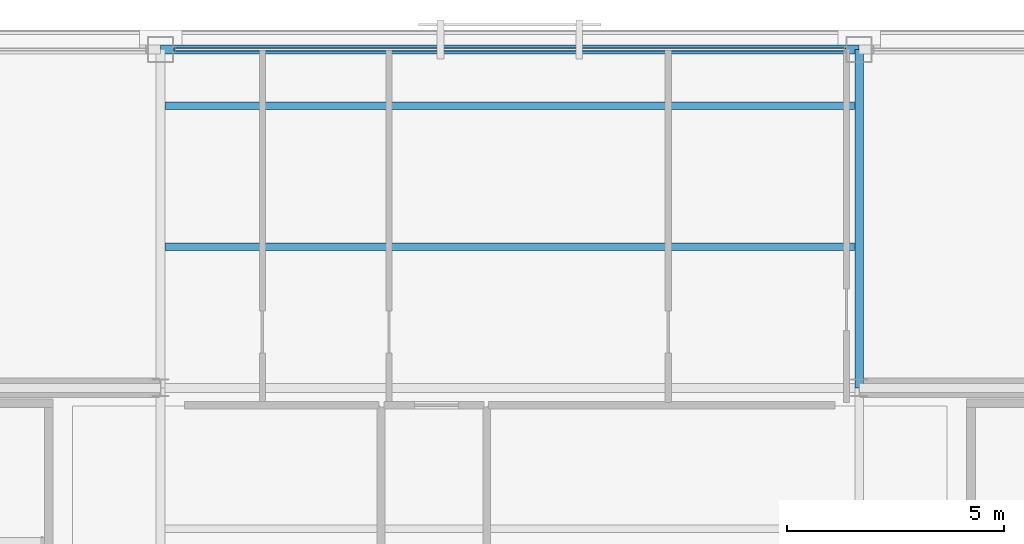
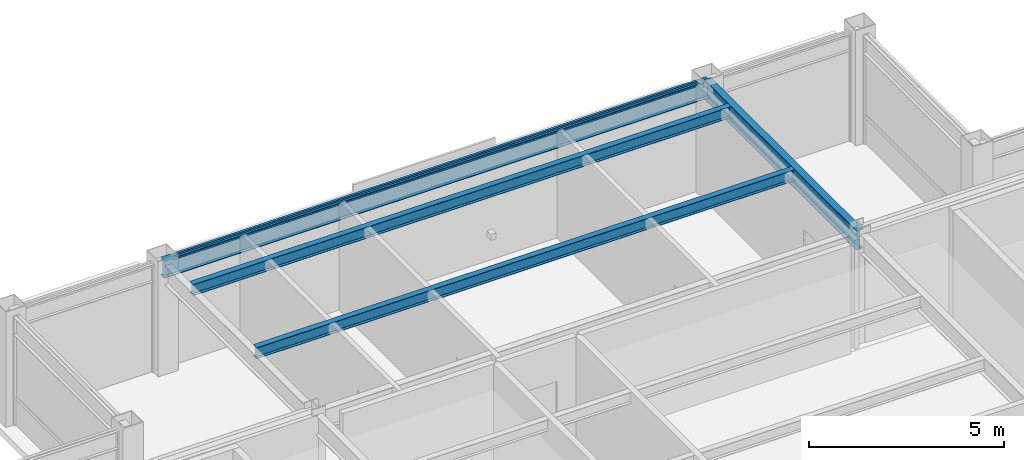
# One storey, part 20 of 28: 4 beams, 1 member, 1 element without a shape of its own.
"""IFC4 building model written with IfcOpenShell, lengths in metres."""

import ifcopenshell
import ifcopenshell.guid

model = None  # the IFC model being written
_history = None  # IfcOwnerHistory: only IFC2X3 demands one
_inside = {}  # id of a spatial element -> (the spatial element, [elements in it])
_under = {}  # id of a project, library or spatial element -> (it, [spatial elements below it])
_declared = {}  # id of a project -> (the project, [libraries it declares])
_typed = {}  # id of a type object -> (the type object, [elements of that type])
_made_of = {}  # id of a material, layer set ... -> (it, [elements and type objects made of it])


def new_model(schema):
    """Start an empty IFC model of exactly this schema.

    Asked for "IFC4X3", IfcOpenShell would pick the latest addendum, in which some entities
    have other attributes; the version numbers below select the first issue.
    IFC2X3 requires an IfcOwnerHistory on every rooted entity: one is made here for all.
    """
    global model, _history
    if schema == "IFC4X3":
        model = ifcopenshell.file(schema_version=(4, 3, 0, 0))
    else:
        model = ifcopenshell.file(schema=schema)
    _inside.clear()
    _under.clear()
    _declared.clear()
    _typed.clear()
    _made_of.clear()
    _history = None
    if model.schema == "IFC2X3":
        org = make("IfcOrganization", Name="unknown")
        user = make(
            "IfcPersonAndOrganization",
            ThePerson=make("IfcPerson", FamilyName="unknown"),
            TheOrganization=org,
        )
        app = make(
            "IfcApplication",
            ApplicationDeveloper=org,
            Version="unknown",
            ApplicationFullName="unknown",
            ApplicationIdentifier="unknown",
        )
        _history = make(
            "IfcOwnerHistory",
            OwningUser=user,
            OwningApplication=app,
            ChangeAction="ADDED",
            CreationDate=0,
        )
    return model


def make(cls, **values):
    """One entity of the class cls with the attributes given. An attribute that is None is left unset."""
    return model.create_entity(
        cls, **{name: value for name, value in values.items() if value is not None}
    )


def rooted(cls, **values):
    """An entity with a GlobalId (a new one), such as an element, a storey or a relation."""
    return make(cls, GlobalId=ifcopenshell.guid.new(), OwnerHistory=_history, **values)


def si_unit(unit_type, name, prefix=None):
    """IfcSIUnit, for example si_unit("LENGTHUNIT", "METRE", prefix="MILLI")."""
    return make("IfcSIUnit", UnitType=unit_type, Prefix=prefix, Name=name)


def assignment(units):
    """IfcUnitAssignment: the units of a project."""
    return None if units is None else make("IfcUnitAssignment", Units=units)


def point(xyz):
    """IfcCartesianPoint."""
    return None if xyz is None else make("IfcCartesianPoint", Coordinates=xyz)


def direction(xyz):
    """IfcDirection."""
    return None if xyz is None else make("IfcDirection", DirectionRatios=xyz)


def frame(location, z_axis=None, x_axis=None):
    """IfcAxis2Placement3D, a coordinate frame: its origin and axes. An axis left out is left unset."""
    return make(
        "IfcAxis2Placement3D",
        Location=point(location),
        Axis=direction(z_axis),
        RefDirection=direction(x_axis),
    )


def frame_2d(location, x_axis=None):
    """IfcAxis2Placement2D, a coordinate frame in the plane: its origin and x axis."""
    return make(
        "IfcAxis2Placement2D", Location=point(location), RefDirection=direction(x_axis)
    )


def origin():
    """The frame at (0, 0, 0) with its axes left unset."""
    return frame((0.0, 0.0, 0.0))


def origin_2d():
    """The frame at (0, 0) in the plane with its x axis left unset."""
    return frame_2d((0.0, 0.0))


def place(relative_to, where):
    """IfcLocalPlacement: puts the frame where relative to a parent placement (None: the world)."""
    return make(
        "IfcLocalPlacement", PlacementRelTo=relative_to, RelativePlacement=where
    )


def context(
    kind, dimensions, precision=None, world=None, true_north=None, identifier=None
):
    """IfcGeometricRepresentationContext, for example the 3D "Model" context."""
    return make(
        "IfcGeometricRepresentationContext",
        ContextIdentifier=identifier,
        ContextType=kind,
        CoordinateSpaceDimension=dimensions,
        Precision=precision,
        WorldCoordinateSystem=world,
        TrueNorth=true_north,
    )


def subcontext(parent, identifier, kind, view, scale=None):
    """IfcGeometricRepresentationSubContext, for example "Body" below "Model"."""
    return make(
        "IfcGeometricRepresentationSubContext",
        ContextIdentifier=identifier,
        ContextType=kind,
        ParentContext=parent,
        TargetScale=scale,
        TargetView=view,
    )


def project(units=None, contexts=None):
    """IfcProject with its units and contexts."""
    return rooted(
        "IfcProject",
        Name="project",
        RepresentationContexts=contexts,
        UnitsInContext=assignment(units),
    )


def spatial(cls, under=None, at=None, **own):
    """A site, building, storey or space (cls), placed at a placement, below another one or the project."""
    s = rooted(cls, ObjectPlacement=at, **own)
    if under is not None:
        _under.setdefault(under.id(), (under, []))[1].append(s)
    return s


def profile(cls, at=None, kind="AREA", **sizes):
    """A parametric profile (cls). Its sizes go by their IFC names, for example OverallWidth=200.0."""
    return make(cls, ProfileType=kind, Position=at, **sizes)


def hollow_rectangle(**sizes):
    """IfcRectangleHollowProfileDef."""
    return profile("IfcRectangleHollowProfileDef", **sizes)


def i_section(**sizes):
    """IfcIShapeProfileDef."""
    return profile("IfcIShapeProfileDef", **sizes)


def extrude(swept, where, along, depth):
    """IfcExtrudedAreaSolid: the profile swept, set in the frame where, extruded along a direction by depth."""
    return make(
        "IfcExtrudedAreaSolid",
        SweptArea=swept,
        Position=where,
        ExtrudedDirection=direction(along),
        Depth=depth,
    )


def shape(context_of_items, identifier, shape_type, items):
    """IfcShapeRepresentation: the items that make up one representation, for example the "Body"."""
    return make(
        "IfcShapeRepresentation",
        ContextOfItems=context_of_items,
        RepresentationIdentifier=identifier,
        RepresentationType=shape_type,
        Items=items,
    )


def material(Name=None, Category=None):
    """IfcMaterial."""
    return make("IfcMaterial", Name=Name, Category=Category)


def layer(
    of_material, thickness, ventilated=None, Name=None, Category=None, Priority=None
):
    """IfcMaterialLayer: one layer of a wall or slab, of a material (None: an air gap)."""
    return make(
        "IfcMaterialLayer",
        Material=of_material,
        LayerThickness=thickness,
        IsVentilated=ventilated,
        Name=Name,
        Category=Category,
        Priority=Priority,
    )


def layer_set(layers, Name=None):
    """IfcMaterialLayerSet."""
    return make("IfcMaterialLayerSet", MaterialLayers=layers, LayerSetName=Name)


def material_profile(
    of_material, cross_section, Name=None, Category=None, Priority=None
):
    """IfcMaterialProfile: a cross section and its material."""
    return make(
        "IfcMaterialProfile",
        Name=Name,
        Material=of_material,
        Profile=cross_section,
        Priority=Priority,
        Category=Category,
    )


def profile_set(profiles, Name=None, composite=None):
    """IfcMaterialProfileSet."""
    return make(
        "IfcMaterialProfileSet",
        Name=Name,
        MaterialProfiles=profiles,
        CompositeProfile=composite,
    )


def made_of(thing, what):
    """Note that an element or type object is made of a material, layer set ...; save() writes the relation."""
    if what is not None:
        _made_of.setdefault(what.id(), (what, []))[1].append(thing)
    return thing


def type_object(cls, material=None, **own):
    """A type object (cls), such as IfcWallType, which elements share."""
    return made_of(rooted(cls, **own), material)


def element(
    cls,
    number,
    at=None,
    inside=None,
    cuts=None,
    type_object=None,
    material=None,
    context=None,
    identifier="Body",
    shape_type=None,
    held_by="IfcProductDefinitionShape",
    body=None,
    shapes=None,
    **own,
):
    """One element of the class cls, such as IfcWall. Its Tag is "e" and its number.

    at: its placement. inside: the storey or other place that contains it. cuts: it is an
    opening in that element (IfcRelVoidsElement). A single representation is given by context,
    identifier, shape_type and body (its items); several are given by shapes. held_by: the class
    of the entity that holds the representations. save() writes the other relations.
    """
    e = rooted(cls, Tag="e%d" % number, ObjectPlacement=at, **own)
    if body is not None:
        shapes = [shape(context, identifier, shape_type, body)]
    if shapes is not None:
        e.Representation = make(held_by, Representations=shapes)
    if inside is not None:
        _inside.setdefault(inside.id(), (inside, []))[1].append(e)
    if cuts is not None:
        rooted(
            "IfcRelVoidsElement", RelatingBuildingElement=cuts, RelatedOpeningElement=e
        )
    if type_object is not None:
        _typed.setdefault(type_object.id(), (type_object, []))[1].append(e)
    return made_of(e, material)


def aggregate(whole, parts):
    """IfcRelAggregates: a whole, such as a stair, and the parts it consists of."""
    return rooted("IfcRelAggregates", RelatingObject=whole, RelatedObjects=parts)


def save(model, path):
    """Write the relations noted so far, then the file.

    IfcRelAggregates (storeys below a building ...), IfcRelContainedInSpatialStructure (elements
    in a storey), IfcRelDefinesByType, IfcRelAssociatesMaterial and IfcRelDeclares: one each for
    every whole, place, type object, material and project.
    """
    for whole, parts in _under.values():
        aggregate(whole, parts)
    for where, things in _inside.values():
        rooted(
            "IfcRelContainedInSpatialStructure",
            RelatedElements=things,
            RelatingStructure=where,
        )
    for kind, things in _typed.values():
        rooted("IfcRelDefinesByType", RelatedObjects=things, RelatingType=kind)
    for what, things in _made_of.values():
        rooted("IfcRelAssociatesMaterial", RelatedObjects=things, RelatingMaterial=what)
    for by, libraries in _declared.values():
        rooted("IfcRelDeclares", RelatingContext=by, RelatedDefinitions=libraries)
    model.write(path)


model = new_model("IFC4")

# Units and contexts
model_context = context("Model", 3, precision=1e-05, world=origin(), true_north=direction((0.0, 1.0)))
body_context = subcontext(model_context, "Body", "Model", "MODEL_VIEW")
ifc_project = project(units=[si_unit("LENGTHUNIT", "METRE"), si_unit("AREAUNIT", "SQUARE_METRE"), si_unit("VOLUMEUNIT", "CUBIC_METRE"), si_unit("PLANEANGLEUNIT", "RADIAN"), si_unit("MASSUNIT", "GRAM", prefix="KILO")], contexts=[model_context])

# Site, building, storey
site_placement = place(None, origin())
site = spatial("IfcSite", under=ifc_project, at=site_placement, CompositionType="ELEMENT")
building_placement = place(site_placement, origin())
building = spatial("IfcBuilding", under=site, at=building_placement, Name="Brelmoor Portico Tower", CompositionType="ELEMENT")
storey_placement = place(building_placement, frame((0.0, 0.0, 265.199951171875)))
storey = spatial("IfcBuildingStorey", under=building, at=storey_placement, Name="L70", CompositionType="ELEMENT", Elevation=265.199951171875)

# Beams
ifc_material_1 = material(Name="Steel Q355B", Category="steel")
ifc_material_profile_1 = material_profile(ifc_material_1, i_section(OverallWidth=0.175048828125, OverallDepth=0.35009765625, WebThickness=0.007080078125, FlangeThickness=0.010986328125, at=origin_2d()), Name="HN 350x175x7x11")
ifc_profile_set_1 = profile_set([ifc_material_profile_1], Name="Steel Q355B")
beam_type_1 = type_object("IfcBeamType", Name="BM-JS-350", PredefinedType="JOIST", material=ifc_profile_set_1)
for number, where, z_axis, x_axis, name in (
    (1, (-7.949951171875, 13.0, 3.22509765625), (1.0, 0.0, 0.0), (0.0, 1.0, 0.0), "L70 Secondary Composite Joist JS-C05"),
    (2, (-7.949951171875, 16.25, 3.22509765625), (1.0, 0.0, 0.0), (0.0, 1.0, 0.0), "L70 Secondary Composite Joist JS-C06"),
):
    element("IfcBeam", number, at=place(storey_placement, frame(where, z_axis=z_axis, x_axis=x_axis)), inside=storey, type_object=beam_type_1, Name=name, PredefinedType="JOIST", context=body_context, shape_type="SweptSolid", body=[
        extrude(i_section(OverallWidth=0.175048828125, OverallDepth=0.35009765625, WebThickness=0.007080078125, FlangeThickness=0.010986328125, at=origin_2d()), origin(), (0.0, 0.0, 1.0), 15.89990234375),
    ])
ifc_material_profile_2 = material_profile(ifc_material_1, i_section(OverallWidth=0.199951171875, OverallDepth=0.60009765625, WebThickness=0.010986328125, FlangeThickness=0.01708984375, at=origin_2d()), Name="HN 600x200x11x17")
ifc_profile_set_2 = profile_set([ifc_material_profile_2], Name="Steel Q355B")
beam_type_2 = type_object("IfcBeamType", Name="BM-PG-600", PredefinedType="BEAM", material=ifc_profile_set_2)
beam_1_placement = place(storey_placement, frame((8.050048828125, 9.75, 3.10009765625), z_axis=(0.0, 1.0, 0.0), x_axis=(-1.0, 0.0, 0.0)))
element("IfcBeam", 3, at=beam_1_placement, inside=storey, type_object=beam_type_2, Name="L70 Primary Floor Girder PG-08", PredefinedType="BEAM", context=body_context, shape_type="SweptSolid", body=[
    extrude(i_section(OverallWidth=0.199951171875, OverallDepth=0.60009765625, WebThickness=0.010986328125, FlangeThickness=0.01708984375, at=origin_2d()), origin(), (0.0, 0.0, 1.0), 7.800048828125),
])
ifc_material_profile_3 = material_profile(ifc_material_1, i_section(OverallWidth=0.199951171875, OverallDepth=0.550048828125, WebThickness=0.010009765625, FlangeThickness=0.01611328125, at=origin_2d()), Name="HN 550x200x10x16")
ifc_profile_set_3 = profile_set([ifc_material_profile_3], Name="Steel Q355B")
beam_type_3 = type_object("IfcBeamType", Name="BM-SP-550", PredefinedType="SPANDREL", material=ifc_profile_set_3)
beam_2_placement = place(storey_placement, frame((-8.050048828125, 17.550048828125, 3.125), z_axis=(1.0, 0.0, 0.0), x_axis=(0.0, 1.0, 0.0)))
element("IfcBeam", 4, at=beam_2_placement, inside=storey, type_object=beam_type_3, Name="L70 Perimeter Spandrel Beam SP-09", PredefinedType="SPANDREL", context=body_context, shape_type="SweptSolid", body=[
    extrude(i_section(OverallWidth=0.199951171875, OverallDepth=0.550048828125, WebThickness=0.010009765625, FlangeThickness=0.01611328125, at=origin_2d()), origin(), (0.0, 0.0, 1.0), 16.10009765625),
])

# Curtain wall, member
ifc_material_2 = material(Name="Anodised Aluminium Alloy 6063-T6", Category="aluminium")
ifc_layer = layer(ifc_material_2, 0.179931640625)
ifc_layer_set = layer_set([ifc_layer], Name="Anodised Aluminium Alloy 6063-T6")
curtain_wall_type = type_object("IfcCurtainWallType", Name="CW-TOWER-Z4-XB", PredefinedType="NOTDEFINED", material=ifc_layer_set)
curtain_wall_placement = place(storey_placement, origin())
curtain_wall = element("IfcCurtainWall", 5, at=curtain_wall_placement, inside=storey, type_object=curtain_wall_type, Name="L70 Curtain Wall CW-L70-02-2", PredefinedType="NOTDEFINED")
ifc_material_profile_4 = material_profile(ifc_material_2, hollow_rectangle(XDim=0.06005859375, YDim=0.125, WallThickness=0.00341796875, at=origin_2d()), Name="ALU TRANSOM 60x125")
ifc_profile_set_4 = profile_set([ifc_material_profile_4], Name="Anodised Aluminium Alloy 6063-T6")
member_type = type_object("IfcMemberType", Name="MB-CW-TRAN-125", PredefinedType="USERDEFINED", material=ifc_profile_set_4)
member_placement = place(storey_placement, frame((-7.739990234375, 17.550048828125, 3.337646484375), z_axis=(1.0, 0.0, 0.0), x_axis=(0.0, 1.0, 0.0)))
member = element("IfcMember", 6, at=member_placement, type_object=member_type, Name="CW-L70-02-2 Transom 1-00", ObjectType="TRANSOM", PredefinedType="USERDEFINED", context=body_context, shape_type="SweptSolid", body=[
    extrude(hollow_rectangle(XDim=0.06005859375, YDim=0.125, WallThickness=0.00341796875, at=origin_2d()), origin(), (0.0, 0.0, 1.0), 15.47998046875),
])
aggregate(curtain_wall, [member])

save(model, "model.ifc")
